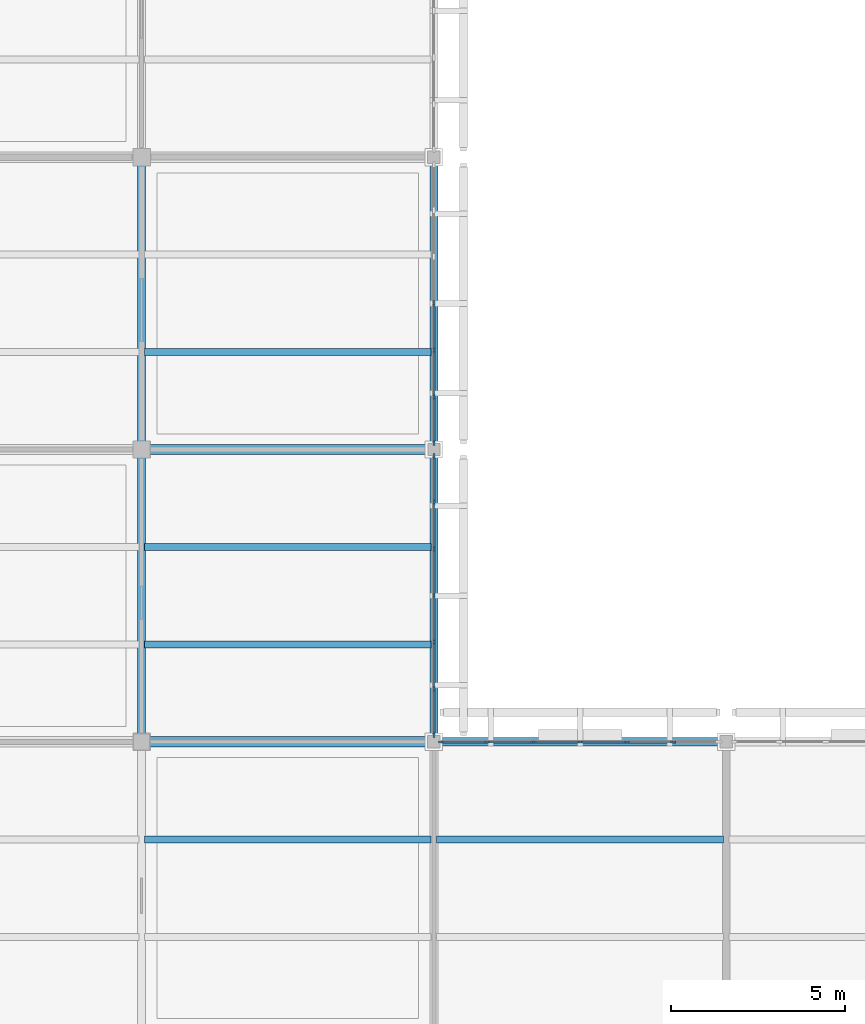
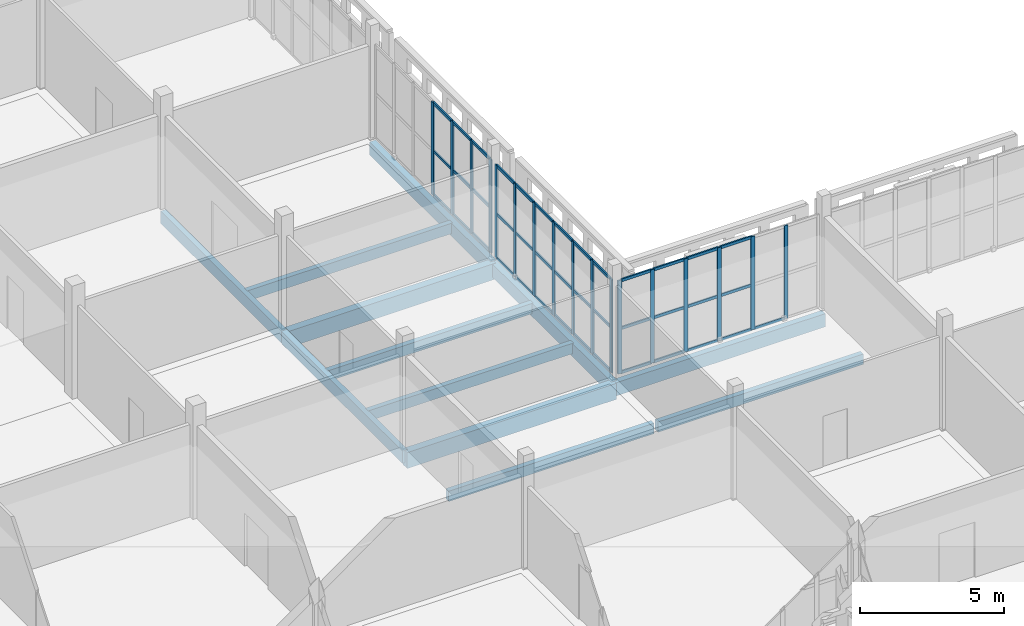
# One storey, part 28 of 203: 57 members, 12 beams, 3 elements without a shape of their own.
"""IFC4 building model written with IfcOpenShell, lengths in metres."""

from ifc_helpers import new_model, si_unit, direction, frame, origin, origin_2d, place, context, subcontext, project, spatial, rectangle, extrude, material, layer, layer_set, material_profile, profile_set, type_object, element, aggregate, save


model = new_model("IFC4")

# Units and contexts
model_context = context("Model", 3, precision=1e-05, world=origin(), true_north=direction((0.0, 1.0)))
body_context = subcontext(model_context, "Body", "Model", "MODEL_VIEW")
ifc_project = project(units=[si_unit("LENGTHUNIT", "METRE"), si_unit("AREAUNIT", "SQUARE_METRE"), si_unit("VOLUMEUNIT", "CUBIC_METRE"), si_unit("PLANEANGLEUNIT", "RADIAN"), si_unit("MASSUNIT", "GRAM", prefix="KILO")], contexts=[model_context])

# Site, building, storey
site_placement = place(None, origin())
site = spatial("IfcSite", under=ifc_project, at=site_placement, CompositionType="ELEMENT")
building_placement = place(site_placement, origin())
building = spatial("IfcBuilding", under=site, at=building_placement, Name="Varnapada Polytechnic", CompositionType="ELEMENT")
storey_placement = place(building_placement, frame((0.0, 0.0, 4.800048828125)))
storey = spatial("IfcBuildingStorey", under=building, at=storey_placement, Name="L01", CompositionType="ELEMENT", Elevation=4.800048828125)

# Beams
ifc_material_1 = material(Name="Glulam GL32h", Category="wood")
ifc_material_profile_1 = material_profile(ifc_material_1, rectangle(XDim=0.199951171875, YDim=0.43994140625, at=origin_2d()), Name="GL 200x440")
ifc_profile_set_1 = profile_set([ifc_material_profile_1], Name="Glulam GL32h")
beam_type_1 = type_object("IfcBeamType", Name="Heavy laboratory glulam joist GJ-03 (GL 200x440)", PredefinedType="JOIST", material=ifc_profile_set_1)
for number, where, z_axis, x_axis, name in (
    (1, (33.679931640625, 47.60009765625, -0.47998046875), (1.0, 0.0, 0.0), (0.0, 1.0, 0.0), "L01 floor joist 5/6.2"),
    (2, (33.679931640625, 53.199951171875, -0.469970703125), (1.0, 0.0, 0.0), (0.0, 1.0, 0.0), "L01 floor joist 5/7.1"),
    (3, (33.679931640625, 56.0, -0.469970703125), (1.0, 0.0, 0.0), (0.0, 1.0, 0.0), "L01 floor joist 5/7.2"),
    (4, (33.679931640625, 61.60009765625, -0.469970703125), (1.0, 0.0, 0.0), (0.0, 1.0, 0.0), "L01 floor joist 5/8.1"),
    (5, (42.080078125, 47.60009765625, -0.47998046875), (1.0, 0.0, 0.0), (0.0, 1.0, 0.0), "L01 floor joist 6/6.2"),
):
    element("IfcBeam", number, at=place(storey_placement, frame(where, z_axis=z_axis, x_axis=x_axis)), inside=storey, type_object=beam_type_1, Name=name, PredefinedType="JOIST", context=body_context, shape_type="SweptSolid", body=[
        extrude(rectangle(XDim=0.199951171875, YDim=0.43994140625, at=origin_2d()), origin(), (0.0, 0.0, 1.0), 8.239990234375),
    ])
ifc_material_profile_2 = material_profile(ifc_material_1, rectangle(XDim=0.219970703125, YDim=0.52001953125, at=origin_2d()), Name="GL 220x520")
ifc_profile_set_2 = profile_set([ifc_material_profile_2], Name="Glulam GL32h")
beam_type_2 = type_object("IfcBeamType", Name="Laboratory transverse glulam beam GB-12 (GL 220x520)", PredefinedType="BEAM", material=ifc_profile_set_2)
beam_1_placement = place(storey_placement, frame((33.60009765625, 50.39990234375, -0.510009765625), z_axis=(0.0, 1.0, 0.0), x_axis=(-1.0, 0.0, 0.0)))
element("IfcBeam", 6, at=beam_1_placement, inside=storey, type_object=beam_type_2, Name="L01 beam Y 7-8 at X5", PredefinedType="BEAM", context=body_context, shape_type="SweptSolid", body=[
    extrude(rectangle(XDim=0.219970703125, YDim=0.52001953125, at=origin_2d()), origin(), (0.0, 0.0, 1.0), 8.400146484375),
])
beam_2_placement = place(storey_placement, frame((33.60009765625, 58.800048828125, -0.510009765625), z_axis=(0.0, 1.0, 0.0), x_axis=(-1.0, 0.0, 0.0)))
element("IfcBeam", 7, at=beam_2_placement, inside=storey, type_object=beam_type_2, Name="L01 beam Y 8-9 at X5", PredefinedType="BEAM", context=body_context, shape_type="SweptSolid", body=[
    extrude(rectangle(XDim=0.219970703125, YDim=0.52001953125, at=origin_2d()), origin(), (0.0, 0.0, 1.0), 8.39990234375),
])

# Curtain wall, members
ifc_material_2 = material(Name="Double low-E laminated glass", Category="glass")
ifc_layer = layer(ifc_material_2, 0.159912109375)
ifc_layer_set = layer_set([ifc_layer], Name="Double low-E laminated glass")
curtain_wall_type = type_object("IfcCurtainWallType", Name="Curtain Wall CW-01", PredefinedType="NOTDEFINED", material=ifc_layer_set)
curtain_wall_1_placement = place(storey_placement, origin())
curtain_wall_1 = element("IfcCurtainWall", 8, at=curtain_wall_1_placement, inside=storey, type_object=curtain_wall_type, Name="L01 unitised curtain wall CW-01 (37)", PredefinedType="NOTDEFINED")
ifc_material_3 = material(Name="Anodised aluminium", Category="aluminium")
ifc_material_profile_3 = material_profile(ifc_material_3, rectangle(XDim=0.06005859375, YDim=0.159912109375, at=origin_2d()), Name="ALU M60x160")
ifc_profile_set_3 = profile_set([ifc_material_profile_3], Name="Anodised aluminium")
member_type_1 = type_object("IfcMemberType", Name="Mullion M-01", PredefinedType="MULLION", material=ifc_profile_set_3)
member_1_placement = place(storey_placement, frame((42.0, 58.60009765625, 0.0), z_axis=(0.0, 0.0, 1.0), x_axis=(1.0, 0.0, 0.0)))
member_1 = element("IfcMember", 9, at=member_1_placement, type_object=member_type_1, Name="CW-01 mullion 1", PredefinedType="MULLION", context=body_context, shape_type="SweptSolid", body=[
    extrude(rectangle(XDim=0.06005859375, YDim=0.159912109375, at=origin_2d()), origin(), (0.0, 0.0, 1.0), 3.9599609375),
])
member_2_placement = place(storey_placement, frame((42.0, 57.288330078125, 0.0), z_axis=(0.0, 0.0, 1.0), x_axis=(1.0, 0.0, 0.0)))
member_2 = element("IfcMember", 10, at=member_2_placement, type_object=member_type_1, Name="CW-01 mullion 2", PredefinedType="MULLION", context=body_context, shape_type="SweptSolid", body=[
    extrude(rectangle(XDim=0.06005859375, YDim=0.159912109375, at=origin_2d()), origin(), (0.0, 0.0, 1.0), 3.9599609375),
])
member_3_placement = place(storey_placement, frame((42.0, 55.94677734375, 0.0), z_axis=(0.0, 0.0, 1.0), x_axis=(1.0, 0.0, 0.0)))
member_3 = element("IfcMember", 11, at=member_3_placement, type_object=member_type_1, Name="CW-01 mullion 3", PredefinedType="MULLION", context=body_context, shape_type="SweptSolid", body=[
    extrude(rectangle(XDim=0.06005859375, YDim=0.159912109375, at=origin_2d()), origin(), (0.0, 0.0, 1.0), 3.9599609375),
])
member_4_placement = place(storey_placement, frame((42.0, 54.60498046875, 0.0), z_axis=(0.0, 0.0, 1.0), x_axis=(1.0, 0.0, 0.0)))
member_4 = element("IfcMember", 12, at=member_4_placement, type_object=member_type_1, Name="CW-01 mullion 4", PredefinedType="MULLION", context=body_context, shape_type="SweptSolid", body=[
    extrude(rectangle(XDim=0.06005859375, YDim=0.159912109375, at=origin_2d()), origin(), (0.0, 0.0, 1.0), 3.9599609375),
])
member_5_placement = place(storey_placement, frame((42.0, 53.263427734375, 0.0), z_axis=(0.0, 0.0, 1.0), x_axis=(1.0, 0.0, 0.0)))
member_5 = element("IfcMember", 13, at=member_5_placement, type_object=member_type_1, Name="CW-01 mullion 5", PredefinedType="MULLION", context=body_context, shape_type="SweptSolid", body=[
    extrude(rectangle(XDim=0.06005859375, YDim=0.159912109375, at=origin_2d()), origin(), (0.0, 0.0, 1.0), 3.9599609375),
])
member_6_placement = place(storey_placement, frame((42.0, 51.921630859375, 0.0), z_axis=(0.0, 0.0, 1.0), x_axis=(1.0, 0.0, 0.0)))
member_6 = element("IfcMember", 14, at=member_6_placement, type_object=member_type_1, Name="CW-01 mullion 6", PredefinedType="MULLION", context=body_context, shape_type="SweptSolid", body=[
    extrude(rectangle(XDim=0.06005859375, YDim=0.159912109375, at=origin_2d()), origin(), (0.0, 0.0, 1.0), 3.9599609375),
])
member_7_placement = place(storey_placement, frame((42.0, 50.610107421875, 0.0), z_axis=(0.0, 0.0, 1.0), x_axis=(1.0, 0.0, 0.0)))
member_7 = element("IfcMember", 15, at=member_7_placement, type_object=member_type_1, Name="CW-01 mullion 7", PredefinedType="MULLION", context=body_context, shape_type="SweptSolid", body=[
    extrude(rectangle(XDim=0.06005859375, YDim=0.159912109375, at=origin_2d()), origin(), (0.0, 0.0, 1.0), 3.9599609375),
])

curtain_wall_2_placement = place(storey_placement, origin())
curtain_wall_2 = element("IfcCurtainWall", 16, at=curtain_wall_2_placement, inside=storey, type_object=curtain_wall_type, Name="L01 unitised curtain wall CW-01 (38)", PredefinedType="NOTDEFINED")
member_8_placement = place(storey_placement, frame((42.0, 62.9951171875, 0.0), z_axis=(0.0, 0.0, 1.0), x_axis=(1.0, 0.0, 0.0)))
member_8 = element("IfcMember", 17, at=member_8_placement, type_object=member_type_1, Name="CW-01 mullion 4", PredefinedType="MULLION", context=body_context, shape_type="SweptSolid", body=[
    extrude(rectangle(XDim=0.06005859375, YDim=0.159912109375, at=origin_2d()), origin(), (0.0, 0.0, 1.0), 3.9599609375),
])
member_9_placement = place(storey_placement, frame((42.0, 61.6533203125, 0.0), z_axis=(0.0, 0.0, 1.0), x_axis=(1.0, 0.0, 0.0)))
member_9 = element("IfcMember", 18, at=member_9_placement, type_object=member_type_1, Name="CW-01 mullion 5", PredefinedType="MULLION", context=body_context, shape_type="SweptSolid", body=[
    extrude(rectangle(XDim=0.06005859375, YDim=0.159912109375, at=origin_2d()), origin(), (0.0, 0.0, 1.0), 3.9599609375),
])
member_10_placement = place(storey_placement, frame((42.0, 60.311767578125, 0.0), z_axis=(0.0, 0.0, 1.0), x_axis=(1.0, 0.0, 0.0)))
member_10 = element("IfcMember", 19, at=member_10_placement, type_object=member_type_1, Name="CW-01 mullion 6", PredefinedType="MULLION", context=body_context, shape_type="SweptSolid", body=[
    extrude(rectangle(XDim=0.06005859375, YDim=0.159912109375, at=origin_2d()), origin(), (0.0, 0.0, 1.0), 3.9599609375),
])
member_11_placement = place(storey_placement, frame((42.0, 59.0, 0.0), z_axis=(0.0, 0.0, 1.0), x_axis=(1.0, 0.0, 0.0)))
member_11 = element("IfcMember", 20, at=member_11_placement, type_object=member_type_1, Name="CW-01 mullion 7", PredefinedType="MULLION", context=body_context, shape_type="SweptSolid", body=[
    extrude(rectangle(XDim=0.06005859375, YDim=0.159912109375, at=origin_2d()), origin(), (0.0, 0.0, 1.0), 3.9599609375),
])

curtain_wall_3_placement = place(storey_placement, origin())
curtain_wall_3 = element("IfcCurtainWall", 21, at=curtain_wall_3_placement, inside=storey, type_object=curtain_wall_type, Name="L01 unitised curtain wall CW-01 (45)", PredefinedType="NOTDEFINED")
member_12_placement = place(storey_placement, frame((42.2099609375, 50.39990234375, 0.0), z_axis=(0.0, 0.0, 1.0), x_axis=(0.0, 1.0, 0.0)))
member_12 = element("IfcMember", 22, at=member_12_placement, type_object=member_type_1, Name="CW-01 mullion 1", PredefinedType="MULLION", context=body_context, shape_type="SweptSolid", body=[
    extrude(rectangle(XDim=0.06005859375, YDim=0.159912109375, at=origin_2d()), origin(), (0.0, 0.0, 1.0), 3.9599609375),
])
member_13_placement = place(storey_placement, frame((43.52001953125, 50.39990234375, 0.0), z_axis=(0.0, 0.0, 1.0), x_axis=(0.0, 1.0, 0.0)))
member_13 = element("IfcMember", 23, at=member_13_placement, type_object=member_type_1, Name="CW-01 mullion 2", PredefinedType="MULLION", context=body_context, shape_type="SweptSolid", body=[
    extrude(rectangle(XDim=0.06005859375, YDim=0.159912109375, at=origin_2d()), origin(), (0.0, 0.0, 1.0), 3.9599609375),
])
member_14_placement = place(storey_placement, frame((44.860107421875, 50.39990234375, 0.0), z_axis=(0.0, 0.0, 1.0), x_axis=(0.0, 1.0, 0.0)))
member_14 = element("IfcMember", 24, at=member_14_placement, type_object=member_type_1, Name="CW-01 mullion 3", PredefinedType="MULLION", context=body_context, shape_type="SweptSolid", body=[
    extrude(rectangle(XDim=0.06005859375, YDim=0.159912109375, at=origin_2d()), origin(), (0.0, 0.0, 1.0), 3.9599609375),
])
member_15_placement = place(storey_placement, frame((46.199951171875, 50.39990234375, 0.0), z_axis=(0.0, 0.0, 1.0), x_axis=(0.0, 1.0, 0.0)))
member_15 = element("IfcMember", 25, at=member_15_placement, type_object=member_type_1, Name="CW-01 mullion 4", PredefinedType="MULLION", context=body_context, shape_type="SweptSolid", body=[
    extrude(rectangle(XDim=0.06005859375, YDim=0.159912109375, at=origin_2d()), origin(), (0.0, 0.0, 1.0), 3.9599609375),
])
member_16_placement = place(storey_placement, frame((47.5400390625, 50.39990234375, 0.0), z_axis=(0.0, 0.0, 1.0), x_axis=(0.0, 1.0, 0.0)))
member_16 = element("IfcMember", 26, at=member_16_placement, type_object=member_type_1, Name="CW-01 mullion 5", PredefinedType="MULLION", context=body_context, shape_type="SweptSolid", body=[
    extrude(rectangle(XDim=0.06005859375, YDim=0.159912109375, at=origin_2d()), origin(), (0.0, 0.0, 1.0), 3.9599609375),
])
member_17_placement = place(storey_placement, frame((48.8798828125, 50.39990234375, 0.0), z_axis=(0.0, 0.0, 1.0), x_axis=(0.0, 1.0, 0.0)))
member_17 = element("IfcMember", 27, at=member_17_placement, type_object=member_type_1, Name="CW-01 mullion 6", PredefinedType="MULLION", context=body_context, shape_type="SweptSolid", body=[
    extrude(rectangle(XDim=0.06005859375, YDim=0.159912109375, at=origin_2d()), origin(), (0.0, 0.0, 1.0), 3.9599609375),
])

# Beams
ifc_material_profile_4 = material_profile(ifc_material_1, rectangle(XDim=0.239990234375, YDim=0.56005859375, at=origin_2d()), Name="GL 240x560")
ifc_profile_set_4 = profile_set([ifc_material_profile_4], Name="Glulam GL32h")
beam_type_3 = type_object("IfcBeamType", Name="Perimeter glulam spandrel beam SP-02 (GL 240x560)", PredefinedType="SPANDREL", material=ifc_profile_set_4)
beam_3_placement = place(storey_placement, frame((42.0, 50.39990234375, -0.5400390625), z_axis=(1.0, 0.0, 0.0), x_axis=(0.0, 1.0, 0.0)))
element("IfcBeam", 28, at=beam_3_placement, inside=storey, type_object=beam_type_3, Name="L01 beam X 6-7 at Y7", PredefinedType="SPANDREL", context=body_context, shape_type="SweptSolid", body=[
    extrude(rectangle(XDim=0.239990234375, YDim=0.56005859375, at=origin_2d()), origin(), (0.0, 0.0, 1.0), 8.39990234375),
])
beam_4_placement = place(storey_placement, frame((42.0, 50.39990234375, -0.5400390625), z_axis=(0.0, 1.0, 0.0), x_axis=(-1.0, 0.0, 0.0)))
element("IfcBeam", 29, at=beam_4_placement, inside=storey, type_object=beam_type_3, Name="L01 beam Y 7-8 at X6", PredefinedType="SPANDREL", context=body_context, shape_type="SweptSolid", body=[
    extrude(rectangle(XDim=0.239990234375, YDim=0.56005859375, at=origin_2d()), origin(), (0.0, 0.0, 1.0), 8.400146484375),
])
beam_5_placement = place(storey_placement, frame((42.0, 58.800048828125, -0.530029296875), z_axis=(0.0, 1.0, 0.0), x_axis=(-1.0, 0.0, 0.0)))
element("IfcBeam", 30, at=beam_5_placement, inside=storey, type_object=beam_type_3, Name="L01 beam Y 8-9 at X6", PredefinedType="SPANDREL", context=body_context, shape_type="SweptSolid", body=[
    extrude(rectangle(XDim=0.239990234375, YDim=0.56005859375, at=origin_2d()), origin(), (0.0, 0.0, 1.0), 8.39990234375),
])

# Member
ifc_material_profile_5 = material_profile(ifc_material_3, rectangle(XDim=0.06005859375, YDim=0.1201171875, at=origin_2d()), Name="ALU T60x120")
ifc_profile_set_5 = profile_set([ifc_material_profile_5], Name="Anodised aluminium")
member_type_2 = type_object("IfcMemberType", Name="Transom T-01", PredefinedType="USERDEFINED", material=ifc_profile_set_5)
member_18_placement = place(storey_placement, frame((42.0, 58.570068359375, 0.030029296875), z_axis=(0.0, -1.0, 0.0), x_axis=(1.0, 0.0, 0.0)))
member_18 = element("IfcMember", 31, at=member_18_placement, type_object=member_type_2, Name="CW-01 transom 1.1", ObjectType="TRANSOM", PredefinedType="USERDEFINED", context=body_context, shape_type="SweptSolid", body=[
    extrude(rectangle(XDim=0.06005859375, YDim=0.1201171875, at=origin_2d()), origin(), (0.0, 0.0, 1.0), 1.251708984375),
])

member_19_placement = place(storey_placement, frame((42.0, 58.570068359375, 1.900634765625), z_axis=(0.0, -1.0, 0.0), x_axis=(1.0, 0.0, 0.0)))
member_19 = element("IfcMember", 32, at=member_19_placement, type_object=member_type_2, Name="CW-01 transom 1.2", ObjectType="TRANSOM", PredefinedType="USERDEFINED", context=body_context, shape_type="SweptSolid", body=[
    extrude(rectangle(XDim=0.06005859375, YDim=0.1201171875, at=origin_2d()), origin(), (0.0, 0.0, 1.0), 1.251708984375),
])

member_20_placement = place(storey_placement, frame((42.0, 58.570068359375, 3.929931640625), z_axis=(0.0, -1.0, 0.0), x_axis=(1.0, 0.0, 0.0)))
member_20 = element("IfcMember", 33, at=member_20_placement, type_object=member_type_2, Name="CW-01 transom 1.3", ObjectType="TRANSOM", PredefinedType="USERDEFINED", context=body_context, shape_type="SweptSolid", body=[
    extrude(rectangle(XDim=0.06005859375, YDim=0.1201171875, at=origin_2d()), origin(), (0.0, 0.0, 1.0), 1.251708984375),
])

member_21_placement = place(storey_placement, frame((42.0, 57.25830078125, 0.030029296875), z_axis=(0.0, -1.0, 0.0), x_axis=(1.0, 0.0, 0.0)))
member_21 = element("IfcMember", 34, at=member_21_placement, type_object=member_type_2, Name="CW-01 transom 2.1", ObjectType="TRANSOM", PredefinedType="USERDEFINED", context=body_context, shape_type="SweptSolid", body=[
    extrude(rectangle(XDim=0.06005859375, YDim=0.1201171875, at=origin_2d()), origin(), (0.0, 0.0, 1.0), 1.28173828125),
])

member_22_placement = place(storey_placement, frame((42.0, 57.25830078125, 1.900634765625), z_axis=(0.0, -1.0, 0.0), x_axis=(1.0, 0.0, 0.0)))
member_22 = element("IfcMember", 35, at=member_22_placement, type_object=member_type_2, Name="CW-01 transom 2.2", ObjectType="TRANSOM", PredefinedType="USERDEFINED", context=body_context, shape_type="SweptSolid", body=[
    extrude(rectangle(XDim=0.06005859375, YDim=0.1201171875, at=origin_2d()), origin(), (0.0, 0.0, 1.0), 1.28173828125),
])

member_23_placement = place(storey_placement, frame((42.0, 57.25830078125, 3.929931640625), z_axis=(0.0, -1.0, 0.0), x_axis=(1.0, 0.0, 0.0)))
member_23 = element("IfcMember", 36, at=member_23_placement, type_object=member_type_2, Name="CW-01 transom 2.3", ObjectType="TRANSOM", PredefinedType="USERDEFINED", context=body_context, shape_type="SweptSolid", body=[
    extrude(rectangle(XDim=0.06005859375, YDim=0.1201171875, at=origin_2d()), origin(), (0.0, 0.0, 1.0), 1.28173828125),
])

member_24_placement = place(storey_placement, frame((42.0, 55.916748046875, 0.030029296875), z_axis=(0.0, -1.0, 0.0), x_axis=(1.0, 0.0, 0.0)))
member_24 = element("IfcMember", 37, at=member_24_placement, type_object=member_type_2, Name="CW-01 transom 3.1", ObjectType="TRANSOM", PredefinedType="USERDEFINED", context=body_context, shape_type="SweptSolid", body=[
    extrude(rectangle(XDim=0.06005859375, YDim=0.1201171875, at=origin_2d()), origin(), (0.0, 0.0, 1.0), 1.28173828125),
])

member_25_placement = place(storey_placement, frame((42.0, 55.916748046875, 1.900634765625), z_axis=(0.0, -1.0, 0.0), x_axis=(1.0, 0.0, 0.0)))
member_25 = element("IfcMember", 38, at=member_25_placement, type_object=member_type_2, Name="CW-01 transom 3.2", ObjectType="TRANSOM", PredefinedType="USERDEFINED", context=body_context, shape_type="SweptSolid", body=[
    extrude(rectangle(XDim=0.06005859375, YDim=0.1201171875, at=origin_2d()), origin(), (0.0, 0.0, 1.0), 1.28173828125),
])

member_26_placement = place(storey_placement, frame((42.0, 55.916748046875, 3.929931640625), z_axis=(0.0, -1.0, 0.0), x_axis=(1.0, 0.0, 0.0)))
member_26 = element("IfcMember", 39, at=member_26_placement, type_object=member_type_2, Name="CW-01 transom 3.3", ObjectType="TRANSOM", PredefinedType="USERDEFINED", context=body_context, shape_type="SweptSolid", body=[
    extrude(rectangle(XDim=0.06005859375, YDim=0.1201171875, at=origin_2d()), origin(), (0.0, 0.0, 1.0), 1.28173828125),
])

member_27_placement = place(storey_placement, frame((42.0, 54.574951171875, 0.030029296875), z_axis=(0.0, -1.0, 0.0), x_axis=(1.0, 0.0, 0.0)))
member_27 = element("IfcMember", 40, at=member_27_placement, type_object=member_type_2, Name="CW-01 transom 4.1", ObjectType="TRANSOM", PredefinedType="USERDEFINED", context=body_context, shape_type="SweptSolid", body=[
    extrude(rectangle(XDim=0.06005859375, YDim=0.1201171875, at=origin_2d()), origin(), (0.0, 0.0, 1.0), 1.28173828125),
])

member_28_placement = place(storey_placement, frame((42.0, 54.574951171875, 1.900634765625), z_axis=(0.0, -1.0, 0.0), x_axis=(1.0, 0.0, 0.0)))
member_28 = element("IfcMember", 41, at=member_28_placement, type_object=member_type_2, Name="CW-01 transom 4.2", ObjectType="TRANSOM", PredefinedType="USERDEFINED", context=body_context, shape_type="SweptSolid", body=[
    extrude(rectangle(XDim=0.06005859375, YDim=0.1201171875, at=origin_2d()), origin(), (0.0, 0.0, 1.0), 1.28173828125),
])

member_29_placement = place(storey_placement, frame((42.0, 54.574951171875, 3.929931640625), z_axis=(0.0, -1.0, 0.0), x_axis=(1.0, 0.0, 0.0)))
member_29 = element("IfcMember", 42, at=member_29_placement, type_object=member_type_2, Name="CW-01 transom 4.3", ObjectType="TRANSOM", PredefinedType="USERDEFINED", context=body_context, shape_type="SweptSolid", body=[
    extrude(rectangle(XDim=0.06005859375, YDim=0.1201171875, at=origin_2d()), origin(), (0.0, 0.0, 1.0), 1.28173828125),
])

member_30_placement = place(storey_placement, frame((42.0, 53.2333984375, 0.030029296875), z_axis=(0.0, -1.0, 0.0), x_axis=(1.0, 0.0, 0.0)))
member_30 = element("IfcMember", 43, at=member_30_placement, type_object=member_type_2, Name="CW-01 transom 5.1", ObjectType="TRANSOM", PredefinedType="USERDEFINED", context=body_context, shape_type="SweptSolid", body=[
    extrude(rectangle(XDim=0.06005859375, YDim=0.1201171875, at=origin_2d()), origin(), (0.0, 0.0, 1.0), 1.28173828125),
])

member_31_placement = place(storey_placement, frame((42.0, 53.2333984375, 1.900634765625), z_axis=(0.0, -1.0, 0.0), x_axis=(1.0, 0.0, 0.0)))
member_31 = element("IfcMember", 44, at=member_31_placement, type_object=member_type_2, Name="CW-01 transom 5.2", ObjectType="TRANSOM", PredefinedType="USERDEFINED", context=body_context, shape_type="SweptSolid", body=[
    extrude(rectangle(XDim=0.06005859375, YDim=0.1201171875, at=origin_2d()), origin(), (0.0, 0.0, 1.0), 1.28173828125),
])

member_32_placement = place(storey_placement, frame((42.0, 53.2333984375, 3.929931640625), z_axis=(0.0, -1.0, 0.0), x_axis=(1.0, 0.0, 0.0)))
member_32 = element("IfcMember", 45, at=member_32_placement, type_object=member_type_2, Name="CW-01 transom 5.3", ObjectType="TRANSOM", PredefinedType="USERDEFINED", context=body_context, shape_type="SweptSolid", body=[
    extrude(rectangle(XDim=0.06005859375, YDim=0.1201171875, at=origin_2d()), origin(), (0.0, 0.0, 1.0), 1.28173828125),
])

member_33_placement = place(storey_placement, frame((42.0, 51.8916015625, 0.030029296875), z_axis=(0.0, -1.0, 0.0), x_axis=(1.0, 0.0, 0.0)))
member_33 = element("IfcMember", 46, at=member_33_placement, type_object=member_type_2, Name="CW-01 transom 6.1", ObjectType="TRANSOM", PredefinedType="USERDEFINED", context=body_context, shape_type="SweptSolid", body=[
    extrude(rectangle(XDim=0.06005859375, YDim=0.1201171875, at=origin_2d()), origin(), (0.0, 0.0, 1.0), 1.251708984375),
])

member_34_placement = place(storey_placement, frame((42.0, 51.8916015625, 1.900634765625), z_axis=(0.0, -1.0, 0.0), x_axis=(1.0, 0.0, 0.0)))
member_34 = element("IfcMember", 47, at=member_34_placement, type_object=member_type_2, Name="CW-01 transom 6.2", ObjectType="TRANSOM", PredefinedType="USERDEFINED", context=body_context, shape_type="SweptSolid", body=[
    extrude(rectangle(XDim=0.06005859375, YDim=0.1201171875, at=origin_2d()), origin(), (0.0, 0.0, 1.0), 1.251708984375),
])

member_35_placement = place(storey_placement, frame((42.0, 51.8916015625, 3.929931640625), z_axis=(0.0, -1.0, 0.0), x_axis=(1.0, 0.0, 0.0)))
member_35 = element("IfcMember", 48, at=member_35_placement, type_object=member_type_2, Name="CW-01 transom 6.3", ObjectType="TRANSOM", PredefinedType="USERDEFINED", context=body_context, shape_type="SweptSolid", body=[
    extrude(rectangle(XDim=0.06005859375, YDim=0.1201171875, at=origin_2d()), origin(), (0.0, 0.0, 1.0), 1.251708984375),
])

aggregate(curtain_wall_1, [member_1, member_2, member_3, member_4, member_5, member_6, member_7, member_18, member_19, member_20, member_21, member_22, member_23, member_24, member_25, member_26, member_27, member_28, member_29, member_30, member_31, member_32, member_33, member_34, member_35])

member_36_placement = place(storey_placement, frame((42.0, 62.965087890625, 0.030029296875), z_axis=(0.0, -1.0, 0.0), x_axis=(1.0, 0.0, 0.0)))
member_36 = element("IfcMember", 49, at=member_36_placement, type_object=member_type_2, Name="CW-01 transom 4.1", ObjectType="TRANSOM", PredefinedType="USERDEFINED", context=body_context, shape_type="SweptSolid", body=[
    extrude(rectangle(XDim=0.06005859375, YDim=0.1201171875, at=origin_2d()), origin(), (0.0, 0.0, 1.0), 1.28173828125),
])

member_37_placement = place(storey_placement, frame((42.0, 62.965087890625, 1.900634765625), z_axis=(0.0, -1.0, 0.0), x_axis=(1.0, 0.0, 0.0)))
member_37 = element("IfcMember", 50, at=member_37_placement, type_object=member_type_2, Name="CW-01 transom 4.2", ObjectType="TRANSOM", PredefinedType="USERDEFINED", context=body_context, shape_type="SweptSolid", body=[
    extrude(rectangle(XDim=0.06005859375, YDim=0.1201171875, at=origin_2d()), origin(), (0.0, 0.0, 1.0), 1.28173828125),
])

member_38_placement = place(storey_placement, frame((42.0, 62.965087890625, 3.929931640625), z_axis=(0.0, -1.0, 0.0), x_axis=(1.0, 0.0, 0.0)))
member_38 = element("IfcMember", 51, at=member_38_placement, type_object=member_type_2, Name="CW-01 transom 4.3", ObjectType="TRANSOM", PredefinedType="USERDEFINED", context=body_context, shape_type="SweptSolid", body=[
    extrude(rectangle(XDim=0.06005859375, YDim=0.1201171875, at=origin_2d()), origin(), (0.0, 0.0, 1.0), 1.28173828125),
])

member_39_placement = place(storey_placement, frame((42.0, 61.623291015625, 0.030029296875), z_axis=(0.0, -1.0, 0.0), x_axis=(1.0, 0.0, 0.0)))
member_39 = element("IfcMember", 52, at=member_39_placement, type_object=member_type_2, Name="CW-01 transom 5.1", ObjectType="TRANSOM", PredefinedType="USERDEFINED", context=body_context, shape_type="SweptSolid", body=[
    extrude(rectangle(XDim=0.06005859375, YDim=0.1201171875, at=origin_2d()), origin(), (0.0, 0.0, 1.0), 1.28173828125),
])

member_40_placement = place(storey_placement, frame((42.0, 61.623291015625, 1.900634765625), z_axis=(0.0, -1.0, 0.0), x_axis=(1.0, 0.0, 0.0)))
member_40 = element("IfcMember", 53, at=member_40_placement, type_object=member_type_2, Name="CW-01 transom 5.2", ObjectType="TRANSOM", PredefinedType="USERDEFINED", context=body_context, shape_type="SweptSolid", body=[
    extrude(rectangle(XDim=0.06005859375, YDim=0.1201171875, at=origin_2d()), origin(), (0.0, 0.0, 1.0), 1.28173828125),
])

member_41_placement = place(storey_placement, frame((42.0, 61.623291015625, 3.929931640625), z_axis=(0.0, -1.0, 0.0), x_axis=(1.0, 0.0, 0.0)))
member_41 = element("IfcMember", 54, at=member_41_placement, type_object=member_type_2, Name="CW-01 transom 5.3", ObjectType="TRANSOM", PredefinedType="USERDEFINED", context=body_context, shape_type="SweptSolid", body=[
    extrude(rectangle(XDim=0.06005859375, YDim=0.1201171875, at=origin_2d()), origin(), (0.0, 0.0, 1.0), 1.28173828125),
])

member_42_placement = place(storey_placement, frame((42.0, 60.28173828125, 0.030029296875), z_axis=(0.0, -1.0, 0.0), x_axis=(1.0, 0.0, 0.0)))
member_42 = element("IfcMember", 55, at=member_42_placement, type_object=member_type_2, Name="CW-01 transom 6.1", ObjectType="TRANSOM", PredefinedType="USERDEFINED", context=body_context, shape_type="SweptSolid", body=[
    extrude(rectangle(XDim=0.06005859375, YDim=0.1201171875, at=origin_2d()), origin(), (0.0, 0.0, 1.0), 1.251708984375),
])

member_43_placement = place(storey_placement, frame((42.0, 60.28173828125, 1.900634765625), z_axis=(0.0, -1.0, 0.0), x_axis=(1.0, 0.0, 0.0)))
member_43 = element("IfcMember", 56, at=member_43_placement, type_object=member_type_2, Name="CW-01 transom 6.2", ObjectType="TRANSOM", PredefinedType="USERDEFINED", context=body_context, shape_type="SweptSolid", body=[
    extrude(rectangle(XDim=0.06005859375, YDim=0.1201171875, at=origin_2d()), origin(), (0.0, 0.0, 1.0), 1.251708984375),
])

member_44_placement = place(storey_placement, frame((42.0, 60.28173828125, 3.929931640625), z_axis=(0.0, -1.0, 0.0), x_axis=(1.0, 0.0, 0.0)))
member_44 = element("IfcMember", 57, at=member_44_placement, type_object=member_type_2, Name="CW-01 transom 6.3", ObjectType="TRANSOM", PredefinedType="USERDEFINED", context=body_context, shape_type="SweptSolid", body=[
    extrude(rectangle(XDim=0.06005859375, YDim=0.1201171875, at=origin_2d()), origin(), (0.0, 0.0, 1.0), 1.251708984375),
])

aggregate(curtain_wall_2, [member_8, member_9, member_10, member_11, member_36, member_37, member_38, member_39, member_40, member_41, member_42, member_43, member_44])

member_45_placement = place(storey_placement, frame((42.239990234375, 50.39990234375, 0.030029296875), z_axis=(1.0, 0.0, 0.0), x_axis=(0.0, 1.0, 0.0)))
member_45 = element("IfcMember", 58, at=member_45_placement, type_object=member_type_2, Name="CW-01 transom 1.1", ObjectType="TRANSOM", PredefinedType="USERDEFINED", context=body_context, shape_type="SweptSolid", body=[
    extrude(rectangle(XDim=0.06005859375, YDim=0.1201171875, at=origin_2d()), origin(), (0.0, 0.0, 1.0), 1.25),
])

member_46_placement = place(storey_placement, frame((42.239990234375, 50.39990234375, 1.900634765625), z_axis=(1.0, 0.0, 0.0), x_axis=(0.0, 1.0, 0.0)))
member_46 = element("IfcMember", 59, at=member_46_placement, type_object=member_type_2, Name="CW-01 transom 1.2", ObjectType="TRANSOM", PredefinedType="USERDEFINED", context=body_context, shape_type="SweptSolid", body=[
    extrude(rectangle(XDim=0.06005859375, YDim=0.1201171875, at=origin_2d()), origin(), (0.0, 0.0, 1.0), 1.25),
])

member_47_placement = place(storey_placement, frame((42.239990234375, 50.39990234375, 3.929931640625), z_axis=(1.0, 0.0, 0.0), x_axis=(0.0, 1.0, 0.0)))
member_47 = element("IfcMember", 60, at=member_47_placement, type_object=member_type_2, Name="CW-01 transom 1.3", ObjectType="TRANSOM", PredefinedType="USERDEFINED", context=body_context, shape_type="SweptSolid", body=[
    extrude(rectangle(XDim=0.06005859375, YDim=0.1201171875, at=origin_2d()), origin(), (0.0, 0.0, 1.0), 1.25),
])

member_48_placement = place(storey_placement, frame((43.550048828125, 50.39990234375, 0.030029296875), z_axis=(1.0, 0.0, 0.0), x_axis=(0.0, 1.0, 0.0)))
member_48 = element("IfcMember", 61, at=member_48_placement, type_object=member_type_2, Name="CW-01 transom 2.1", ObjectType="TRANSOM", PredefinedType="USERDEFINED", context=body_context, shape_type="SweptSolid", body=[
    extrude(rectangle(XDim=0.06005859375, YDim=0.1201171875, at=origin_2d()), origin(), (0.0, 0.0, 1.0), 1.280029296875),
])

member_49_placement = place(storey_placement, frame((43.550048828125, 50.39990234375, 1.900634765625), z_axis=(1.0, 0.0, 0.0), x_axis=(0.0, 1.0, 0.0)))
member_49 = element("IfcMember", 62, at=member_49_placement, type_object=member_type_2, Name="CW-01 transom 2.2", ObjectType="TRANSOM", PredefinedType="USERDEFINED", context=body_context, shape_type="SweptSolid", body=[
    extrude(rectangle(XDim=0.06005859375, YDim=0.1201171875, at=origin_2d()), origin(), (0.0, 0.0, 1.0), 1.280029296875),
])

member_50_placement = place(storey_placement, frame((43.550048828125, 50.39990234375, 3.929931640625), z_axis=(1.0, 0.0, 0.0), x_axis=(0.0, 1.0, 0.0)))
member_50 = element("IfcMember", 63, at=member_50_placement, type_object=member_type_2, Name="CW-01 transom 2.3", ObjectType="TRANSOM", PredefinedType="USERDEFINED", context=body_context, shape_type="SweptSolid", body=[
    extrude(rectangle(XDim=0.06005859375, YDim=0.1201171875, at=origin_2d()), origin(), (0.0, 0.0, 1.0), 1.280029296875),
])

member_51_placement = place(storey_placement, frame((44.889892578125, 50.39990234375, 0.030029296875), z_axis=(1.0, 0.0, 0.0), x_axis=(0.0, 1.0, 0.0)))
member_51 = element("IfcMember", 64, at=member_51_placement, type_object=member_type_2, Name="CW-01 transom 3.1", ObjectType="TRANSOM", PredefinedType="USERDEFINED", context=body_context, shape_type="SweptSolid", body=[
    extrude(rectangle(XDim=0.06005859375, YDim=0.1201171875, at=origin_2d()), origin(), (0.0, 0.0, 1.0), 1.280029296875),
])

member_52_placement = place(storey_placement, frame((44.889892578125, 50.39990234375, 1.900634765625), z_axis=(1.0, 0.0, 0.0), x_axis=(0.0, 1.0, 0.0)))
member_52 = element("IfcMember", 65, at=member_52_placement, type_object=member_type_2, Name="CW-01 transom 3.2", ObjectType="TRANSOM", PredefinedType="USERDEFINED", context=body_context, shape_type="SweptSolid", body=[
    extrude(rectangle(XDim=0.06005859375, YDim=0.1201171875, at=origin_2d()), origin(), (0.0, 0.0, 1.0), 1.280029296875),
])

member_53_placement = place(storey_placement, frame((44.889892578125, 50.39990234375, 3.929931640625), z_axis=(1.0, 0.0, 0.0), x_axis=(0.0, 1.0, 0.0)))
member_53 = element("IfcMember", 66, at=member_53_placement, type_object=member_type_2, Name="CW-01 transom 3.3", ObjectType="TRANSOM", PredefinedType="USERDEFINED", context=body_context, shape_type="SweptSolid", body=[
    extrude(rectangle(XDim=0.06005859375, YDim=0.1201171875, at=origin_2d()), origin(), (0.0, 0.0, 1.0), 1.280029296875),
])

member_54_placement = place(storey_placement, frame((46.22998046875, 50.39990234375, 0.030029296875), z_axis=(1.0, 0.0, 0.0), x_axis=(0.0, 1.0, 0.0)))
member_54 = element("IfcMember", 67, at=member_54_placement, type_object=member_type_2, Name="CW-01 transom 4.1", ObjectType="TRANSOM", PredefinedType="USERDEFINED", context=body_context, shape_type="SweptSolid", body=[
    extrude(rectangle(XDim=0.06005859375, YDim=0.1201171875, at=origin_2d()), origin(), (0.0, 0.0, 1.0), 1.280029296875),
])

member_55_placement = place(storey_placement, frame((46.22998046875, 50.39990234375, 1.900634765625), z_axis=(1.0, 0.0, 0.0), x_axis=(0.0, 1.0, 0.0)))
member_55 = element("IfcMember", 68, at=member_55_placement, type_object=member_type_2, Name="CW-01 transom 4.2", ObjectType="TRANSOM", PredefinedType="USERDEFINED", context=body_context, shape_type="SweptSolid", body=[
    extrude(rectangle(XDim=0.06005859375, YDim=0.1201171875, at=origin_2d()), origin(), (0.0, 0.0, 1.0), 1.280029296875),
])

member_56_placement = place(storey_placement, frame((46.22998046875, 50.39990234375, 3.929931640625), z_axis=(1.0, 0.0, 0.0), x_axis=(0.0, 1.0, 0.0)))
member_56 = element("IfcMember", 69, at=member_56_placement, type_object=member_type_2, Name="CW-01 transom 4.3", ObjectType="TRANSOM", PredefinedType="USERDEFINED", context=body_context, shape_type="SweptSolid", body=[
    extrude(rectangle(XDim=0.06005859375, YDim=0.1201171875, at=origin_2d()), origin(), (0.0, 0.0, 1.0), 1.280029296875),
])

member_57_placement = place(storey_placement, frame((47.570068359375, 50.39990234375, 0.030029296875), z_axis=(1.0, 0.0, 0.0), x_axis=(0.0, 1.0, 0.0)))
member_57 = element("IfcMember", 70, at=member_57_placement, type_object=member_type_2, Name="CW-01 transom 5.1", ObjectType="TRANSOM", PredefinedType="USERDEFINED", context=body_context, shape_type="SweptSolid", body=[
    extrude(rectangle(XDim=0.06005859375, YDim=0.1201171875, at=origin_2d()), origin(), (0.0, 0.0, 1.0), 1.280029296875),
])

aggregate(curtain_wall_3, [member_12, member_13, member_14, member_15, member_16, member_17, member_45, member_46, member_47, member_48, member_49, member_50, member_51, member_52, member_53, member_54, member_55, member_56, member_57])

# Beams
ifc_material_profile_6 = material_profile(ifc_material_1, rectangle(XDim=0.300048828125, YDim=0.679931640625, at=origin_2d()), Name="GL 300x680")
ifc_profile_set_6 = profile_set([ifc_material_profile_6], Name="Glulam GL32h")
beam_type_4 = type_object("IfcBeamType", Name="Wet laboratory glulam girder GG-04 (GL 300x680)", PredefinedType="BEAM", material=ifc_profile_set_6)
for number, where, z_axis, x_axis, name in (
    (71, (33.60009765625, 50.39990234375, -0.60009765625), (1.0, 0.0, 0.0), (0.0, 1.0, 0.0), "L01 beam X 5-6 at Y7"),
    (72, (33.60009765625, 58.800048828125, -0.590087890625), (1.0, 0.0, 0.0), (0.0, 1.0, 0.0), "L01 beam X 5-6 at Y8"),
):
    element("IfcBeam", number, at=place(storey_placement, frame(where, z_axis=z_axis, x_axis=x_axis)), inside=storey, type_object=beam_type_4, Name=name, PredefinedType="BEAM", context=body_context, shape_type="SweptSolid", body=[
        extrude(rectangle(XDim=0.300048828125, YDim=0.679931640625, at=origin_2d()), origin(), (0.0, 0.0, 1.0), 8.39990234375),
    ])

save(model, "model.ifc")
